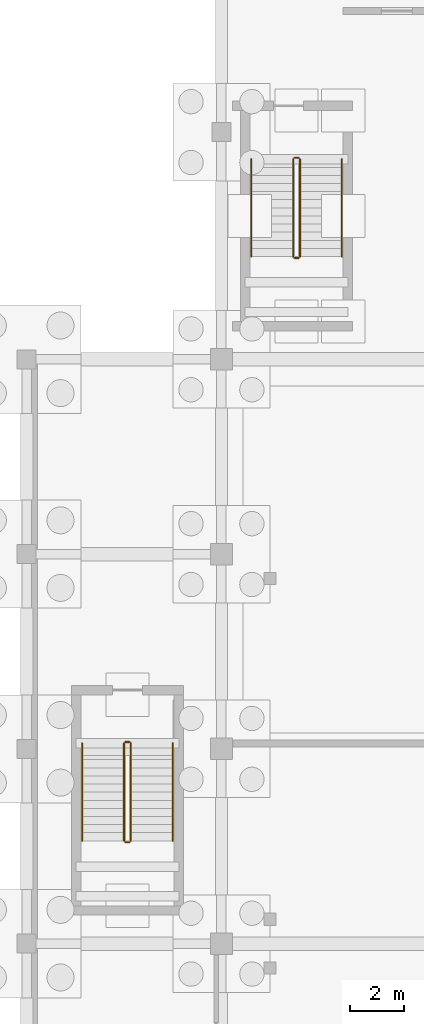
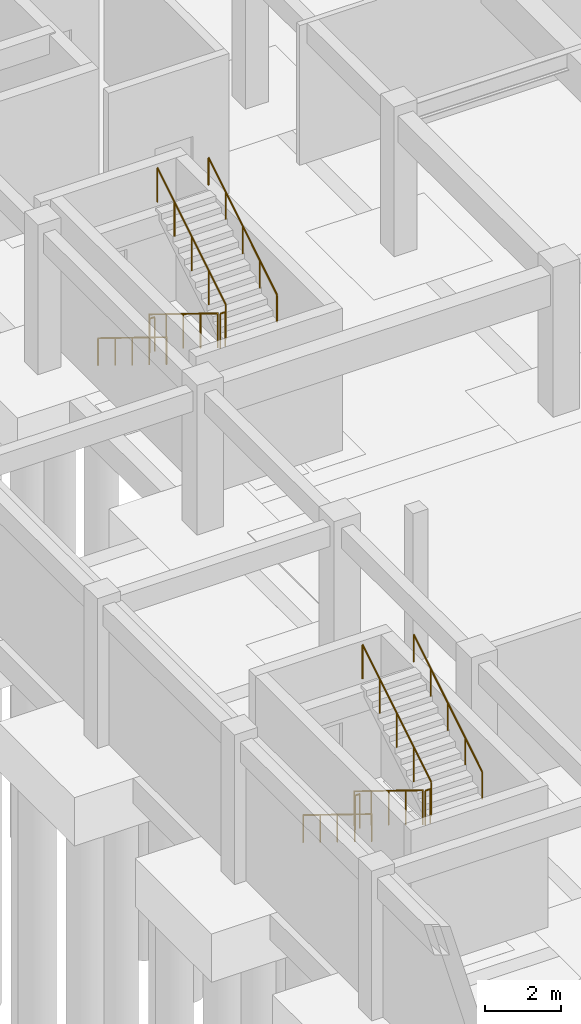
# One storey, part 40 of 46: 12 railings.
"""IFC4 building model written with IfcOpenShell, lengths in metres."""

from ifc_helpers import new_model, si_unit, direction, frame, origin, origin_2d, place, context, subcontext, project, spatial, circle, extrude, material, material_profile, profile_set, type_object, element, save


model = new_model("IFC4")

# Units and contexts
model_context = context("Model", 3, precision=1e-05, world=origin(), true_north=direction((0.0, 1.0)))
body_context = subcontext(model_context, "Body", "Model", "MODEL_VIEW")
ifc_project = project(units=[si_unit("LENGTHUNIT", "METRE"), si_unit("AREAUNIT", "SQUARE_METRE"), si_unit("VOLUMEUNIT", "CUBIC_METRE"), si_unit("PLANEANGLEUNIT", "RADIAN"), si_unit("MASSUNIT", "GRAM", prefix="KILO")], contexts=[model_context])

# Site, building, storey
site_placement = place(None, origin())
site = spatial("IfcSite", under=ifc_project, at=site_placement, CompositionType="ELEMENT")
building_placement = place(site_placement, origin())
building = spatial("IfcBuilding", under=site, at=building_placement, Name="Tazoul Stagehouse", CompositionType="ELEMENT")
storey_placement = place(building_placement, frame((0.0, 0.0, -4.800048828125)))
storey = spatial("IfcBuildingStorey", under=building, at=storey_placement, Name="B1", CompositionType="ELEMENT", Elevation=-4.800048828125)

# Railings
ifc_material = material(Name="Brushed Stainless Steel 316L", Category="steel")
ifc_material_profile_1 = material_profile(ifc_material, circle(Radius=0.02392578125, at=origin_2d()), Name="SS RAIL D48")
ifc_profile_set_1 = profile_set([ifc_material_profile_1], Name="Brushed Stainless Steel 316L")
railing_type_1 = type_object("IfcRailingType", Name="Architectural Guardrail H1120", PredefinedType="GUARDRAIL", material=ifc_profile_set_1)
railing_1_placement = place(storey_placement, frame((60.25, 95.199951171875, 0.1845703125)))
element("IfcRailing", 1, at=railing_1_placement, inside=storey, type_object=railing_type_1, Name="B1 ST-B3 stair guard 1", PredefinedType="GUARDRAIL", context=body_context, shape_type="SweptSolid", body=[
    extrude(circle(Radius=0.02392578125, at=origin_2d()), frame((0.0, 0.0, 1.09619140625), z_axis=(0.0, -0.851628569182, 0.524145762315), x_axis=(1.0, 0.0, 0.0)), (0.0, 0.0, 1.0), 4.22705078125),
    extrude(circle(Radius=0.02099609375, at=origin_2d()), origin(), (0.0, 0.0, 1.0), 1.072021484375),
    extrude(circle(Radius=0.02099609375, at=origin_2d()), frame((0.0, -0.89990234375, 0.553955078125)), (0.0, 0.0, 1.0), 1.072021484375),
    extrude(circle(Radius=0.02099609375, at=origin_2d()), frame((0.0, -1.7998046875, 1.10791015625)), (0.0, 0.0, 1.0), 1.072021484375),
    extrude(circle(Radius=0.02099609375, at=origin_2d()), frame((0.0, -2.699951171875, 1.66162109375)), (0.0, 0.0, 1.0), 1.072021484375),
    extrude(circle(Radius=0.02099609375, at=origin_2d()), frame((0.0, -3.599853515625, 2.215576171875)), (0.0, 0.0, 1.0), 1.072021484375),
])
railing_2_placement = place(storey_placement, frame((60.300048828125, 91.550048828125, 2.400146484375)))
element("IfcRailing", 2, at=railing_2_placement, inside=storey, type_object=railing_type_1, Name="B1 ST-B3 stair guard 2", PredefinedType="GUARDRAIL", context=body_context, shape_type="SweptSolid", body=[
    extrude(circle(Radius=0.02392578125, at=origin_2d()), frame((0.0, 0.0, 1.09619140625), z_axis=(1.0, 0.0, 0.0), x_axis=(0.0, 1.0, 0.0)), (0.0, 0.0, 1.0), 0.14990234375),
    extrude(circle(Radius=0.02099609375, at=origin_2d()), origin(), (0.0, 0.0, 1.0), 1.072021484375),
    extrude(circle(Radius=0.02099609375, at=origin_2d()), frame((0.14990234375, 0.0, 0.0)), (0.0, 0.0, 1.0), 1.072021484375),
])
railing_3_placement = place(storey_placement, frame((60.5, 91.60009765625, 2.584716796875)))
element("IfcRailing", 3, at=railing_3_placement, inside=storey, type_object=railing_type_1, Name="B1 ST-B3 stair guard 3", PredefinedType="GUARDRAIL", context=body_context, shape_type="SweptSolid", body=[
    extrude(circle(Radius=0.02392578125, at=origin_2d()), frame((0.0, 0.0, 1.09619140625), z_axis=(0.0, 0.851654350407, 0.524103870844), x_axis=(-1.0, 0.0, 0.0)), (0.0, 0.0, 1.0), 4.226806640625),
    extrude(circle(Radius=0.02099609375, at=origin_2d()), origin(), (0.0, 0.0, 1.0), 1.072021484375),
    extrude(circle(Radius=0.02099609375, at=origin_2d()), frame((0.0, 0.89990234375, 0.5537109375)), (0.0, 0.0, 1.0), 1.072021484375),
    extrude(circle(Radius=0.02099609375, at=origin_2d()), frame((0.0, 1.7998046875, 1.107666015625)), (0.0, 0.0, 1.0), 1.072021484375),
    extrude(circle(Radius=0.02099609375, at=origin_2d()), frame((0.0, 2.699951171875, 1.66162109375)), (0.0, 0.0, 1.0), 1.072021484375),
    extrude(circle(Radius=0.02099609375, at=origin_2d()), frame((0.0, 3.599853515625, 2.21533203125)), (0.0, 0.0, 1.0), 1.072021484375),
])
railing_4_placement = place(storey_placement, frame((60.300048828125, 95.25, 0.0)))
element("IfcRailing", 4, at=railing_4_placement, inside=storey, type_object=railing_type_1, Name="B1 ST-B3 stair guard 4", PredefinedType="GUARDRAIL", context=body_context, shape_type="SweptSolid", body=[
    extrude(circle(Radius=0.02392578125, at=origin_2d()), frame((0.0, 0.0, 1.09619140625), z_axis=(1.0, 0.0, 0.0), x_axis=(0.0, 1.0, 0.0)), (0.0, 0.0, 1.0), 0.14990234375),
    extrude(circle(Radius=0.02099609375, at=origin_2d()), origin(), (0.0, 0.0, 1.0), 1.072021484375),
    extrude(circle(Radius=0.02099609375, at=origin_2d()), frame((0.14990234375, 0.0, 0.0)), (0.0, 0.0, 1.0), 1.072021484375),
])
railing_5_placement = place(storey_placement, frame((54.0, 73.60009765625, 0.1845703125)))
element("IfcRailing", 5, at=railing_5_placement, inside=storey, type_object=railing_type_1, Name="B1 ST-B5 stair guard 1", PredefinedType="GUARDRAIL", context=body_context, shape_type="SweptSolid", body=[
    extrude(circle(Radius=0.02392578125, at=origin_2d()), frame((0.0, 0.0, 1.09619140625), z_axis=(0.0, -0.851644435552, 0.524119981868), x_axis=(1.0, 0.0, 0.0)), (0.0, 0.0, 1.0), 4.227294921875),
    extrude(circle(Radius=0.02099609375, at=origin_2d()), origin(), (0.0, 0.0, 1.0), 1.072021484375),
    extrude(circle(Radius=0.02099609375, at=origin_2d()), frame((0.0, -0.89990234375, 0.553955078125)), (0.0, 0.0, 1.0), 1.072021484375),
    extrude(circle(Radius=0.02099609375, at=origin_2d()), frame((0.0, -1.800048828125, 1.10791015625)), (0.0, 0.0, 1.0), 1.072021484375),
    extrude(circle(Radius=0.02099609375, at=origin_2d()), frame((0.0, -2.7001953125, 1.66162109375)), (0.0, 0.0, 1.0), 1.072021484375),
    extrude(circle(Radius=0.02099609375, at=origin_2d()), frame((0.0, -3.60009765625, 2.215576171875)), (0.0, 0.0, 1.0), 1.072021484375),
])
railing_6_placement = place(storey_placement, frame((54.050048828125, 69.949951171875, 2.400146484375)))
element("IfcRailing", 6, at=railing_6_placement, inside=storey, type_object=railing_type_1, Name="B1 ST-B5 stair guard 2", PredefinedType="GUARDRAIL", context=body_context, shape_type="SweptSolid", body=[
    extrude(circle(Radius=0.02392578125, at=origin_2d()), frame((0.0, 0.0, 1.09619140625), z_axis=(1.0, 0.0, 0.0), x_axis=(0.0, 1.0, 0.0)), (0.0, 0.0, 1.0), 0.14990234375),
    extrude(circle(Radius=0.02099609375, at=origin_2d()), origin(), (0.0, 0.0, 1.0), 1.072021484375),
    extrude(circle(Radius=0.02099609375, at=origin_2d()), frame((0.14990234375, 0.0, 0.0)), (0.0, 0.0, 1.0), 1.072021484375),
])
railing_7_placement = place(storey_placement, frame((54.25, 70.0, 2.584716796875)))
element("IfcRailing", 7, at=railing_7_placement, inside=storey, type_object=railing_type_1, Name="B1 ST-B5 stair guard 3", PredefinedType="GUARDRAIL", context=body_context, shape_type="SweptSolid", body=[
    extrude(circle(Radius=0.02392578125, at=origin_2d()), frame((0.0, 0.0, 1.09619140625), z_axis=(0.0, 0.85167021472, 0.524078090897), x_axis=(-1.0, 0.0, 0.0)), (0.0, 0.0, 1.0), 4.22705078125),
    extrude(circle(Radius=0.02099609375, at=origin_2d()), origin(), (0.0, 0.0, 1.0), 1.072021484375),
    extrude(circle(Radius=0.02099609375, at=origin_2d()), frame((0.0, 0.89990234375, 0.5537109375)), (0.0, 0.0, 1.0), 1.072021484375),
    extrude(circle(Radius=0.02099609375, at=origin_2d()), frame((0.0, 1.800048828125, 1.107666015625)), (0.0, 0.0, 1.0), 1.072021484375),
    extrude(circle(Radius=0.02099609375, at=origin_2d()), frame((0.0, 2.7001953125, 1.66162109375)), (0.0, 0.0, 1.0), 1.072021484375),
    extrude(circle(Radius=0.02099609375, at=origin_2d()), frame((0.0, 3.60009765625, 2.21533203125)), (0.0, 0.0, 1.0), 1.072021484375),
])
railing_8_placement = place(storey_placement, frame((54.050048828125, 73.64990234375, 0.0)))
element("IfcRailing", 8, at=railing_8_placement, inside=storey, type_object=railing_type_1, Name="B1 ST-B5 stair guard 4", PredefinedType="GUARDRAIL", context=body_context, shape_type="SweptSolid", body=[
    extrude(circle(Radius=0.02392578125, at=origin_2d()), frame((0.0, 0.0, 1.09619140625), z_axis=(1.0, 0.0, 0.0), x_axis=(0.0, 1.0, 0.0)), (0.0, 0.0, 1.0), 0.14990234375),
    extrude(circle(Radius=0.02099609375, at=origin_2d()), origin(), (0.0, 0.0, 1.0), 1.072021484375),
    extrude(circle(Radius=0.02099609375, at=origin_2d()), frame((0.14990234375, 0.0, 0.0)), (0.0, 0.0, 1.0), 1.072021484375),
])
ifc_material_profile_2 = material_profile(ifc_material, circle(Radius=0.02099609375, at=origin_2d()), Name="SS HANDRAIL D42")
ifc_profile_set_2 = profile_set([ifc_material_profile_2], Name="Brushed Stainless Steel 316L")
railing_type_2 = type_object("IfcRailingType", Name="Continuous Stair Handrail H900", PredefinedType="HANDRAIL", material=ifc_profile_set_2)
railing_9_placement = place(storey_placement, frame((58.699951171875, 95.199951171875, 0.1845703125)))
element("IfcRailing", 9, at=railing_9_placement, inside=storey, type_object=railing_type_2, Name="B1 ST-B3 stair handrail 1", PredefinedType="HANDRAIL", context=body_context, shape_type="SweptSolid", body=[
    extrude(circle(Radius=0.02392578125, at=origin_2d()), frame((0.0, 0.0, 0.8759765625), z_axis=(0.0, -0.851628569182, 0.524145762315), x_axis=(1.0, 0.0, 0.0)), (0.0, 0.0, 1.0), 4.22705078125),
    extrude(circle(Radius=0.02099609375, at=origin_2d()), origin(), (0.0, 0.0, 1.0), 0.851806640625),
    extrude(circle(Radius=0.02099609375, at=origin_2d()), frame((0.0, -0.89990234375, 0.553955078125)), (0.0, 0.0, 1.0), 0.851806640625),
    extrude(circle(Radius=0.02099609375, at=origin_2d()), frame((0.0, -1.7998046875, 1.10791015625)), (0.0, 0.0, 1.0), 0.851806640625),
    extrude(circle(Radius=0.02099609375, at=origin_2d()), frame((0.0, -2.699951171875, 1.66162109375)), (0.0, 0.0, 1.0), 0.851806640625),
    extrude(circle(Radius=0.02099609375, at=origin_2d()), frame((0.0, -3.599853515625, 2.215576171875)), (0.0, 0.0, 1.0), 0.851806640625),
])
railing_10_placement = place(storey_placement, frame((62.050048828125, 91.60009765625, 2.584716796875)))
element("IfcRailing", 10, at=railing_10_placement, inside=storey, type_object=railing_type_2, Name="B1 ST-B3 stair handrail 2", PredefinedType="HANDRAIL", context=body_context, shape_type="SweptSolid", body=[
    extrude(circle(Radius=0.02392578125, at=origin_2d()), frame((0.0, 0.0, 0.8759765625), z_axis=(0.0, 0.851654350407, 0.524103870844), x_axis=(-1.0, 0.0, 0.0)), (0.0, 0.0, 1.0), 4.226806640625),
    extrude(circle(Radius=0.02099609375, at=origin_2d()), origin(), (0.0, 0.0, 1.0), 0.851806640625),
    extrude(circle(Radius=0.02099609375, at=origin_2d()), frame((0.0, 0.89990234375, 0.5537109375)), (0.0, 0.0, 1.0), 0.851806640625),
    extrude(circle(Radius=0.02099609375, at=origin_2d()), frame((0.0, 1.7998046875, 1.107666015625)), (0.0, 0.0, 1.0), 0.851806640625),
    extrude(circle(Radius=0.02099609375, at=origin_2d()), frame((0.0, 2.699951171875, 1.66162109375)), (0.0, 0.0, 1.0), 0.851806640625),
    extrude(circle(Radius=0.02099609375, at=origin_2d()), frame((0.0, 3.599853515625, 2.21533203125)), (0.0, 0.0, 1.0), 0.851806640625),
])
railing_11_placement = place(storey_placement, frame((52.449951171875, 73.60009765625, 0.1845703125)))
element("IfcRailing", 11, at=railing_11_placement, inside=storey, type_object=railing_type_2, Name="B1 ST-B5 stair handrail 1", PredefinedType="HANDRAIL", context=body_context, shape_type="SweptSolid", body=[
    extrude(circle(Radius=0.02392578125, at=origin_2d()), frame((0.0, 0.0, 0.8759765625), z_axis=(0.0, -0.851644435552, 0.524119981868), x_axis=(1.0, 0.0, 0.0)), (0.0, 0.0, 1.0), 4.227294921875),
    extrude(circle(Radius=0.02099609375, at=origin_2d()), origin(), (0.0, 0.0, 1.0), 0.851806640625),
    extrude(circle(Radius=0.02099609375, at=origin_2d()), frame((0.0, -0.89990234375, 0.553955078125)), (0.0, 0.0, 1.0), 0.851806640625),
    extrude(circle(Radius=0.02099609375, at=origin_2d()), frame((0.0, -1.800048828125, 1.10791015625)), (0.0, 0.0, 1.0), 0.851806640625),
    extrude(circle(Radius=0.02099609375, at=origin_2d()), frame((0.0, -2.7001953125, 1.66162109375)), (0.0, 0.0, 1.0), 0.851806640625),
    extrude(circle(Radius=0.02099609375, at=origin_2d()), frame((0.0, -3.60009765625, 2.215576171875)), (0.0, 0.0, 1.0), 0.851806640625),
])
railing_12_placement = place(storey_placement, frame((55.800048828125, 70.0, 2.584716796875)))
element("IfcRailing", 12, at=railing_12_placement, inside=storey, type_object=railing_type_2, Name="B1 ST-B5 stair handrail 2", PredefinedType="HANDRAIL", context=body_context, shape_type="SweptSolid", body=[
    extrude(circle(Radius=0.02392578125, at=origin_2d()), frame((0.0, 0.0, 0.8759765625), z_axis=(0.0, 0.85167021472, 0.524078090897), x_axis=(-1.0, 0.0, 0.0)), (0.0, 0.0, 1.0), 4.22705078125),
    extrude(circle(Radius=0.02099609375, at=origin_2d()), origin(), (0.0, 0.0, 1.0), 0.851806640625),
    extrude(circle(Radius=0.02099609375, at=origin_2d()), frame((0.0, 0.89990234375, 0.5537109375)), (0.0, 0.0, 1.0), 0.851806640625),
    extrude(circle(Radius=0.02099609375, at=origin_2d()), frame((0.0, 1.800048828125, 1.107666015625)), (0.0, 0.0, 1.0), 0.851806640625),
    extrude(circle(Radius=0.02099609375, at=origin_2d()), frame((0.0, 2.7001953125, 1.66162109375)), (0.0, 0.0, 1.0), 0.851806640625),
    extrude(circle(Radius=0.02099609375, at=origin_2d()), frame((0.0, 3.60009765625, 2.21533203125)), (0.0, 0.0, 1.0), 0.851806640625),
])

save(model, "model.ifc")
